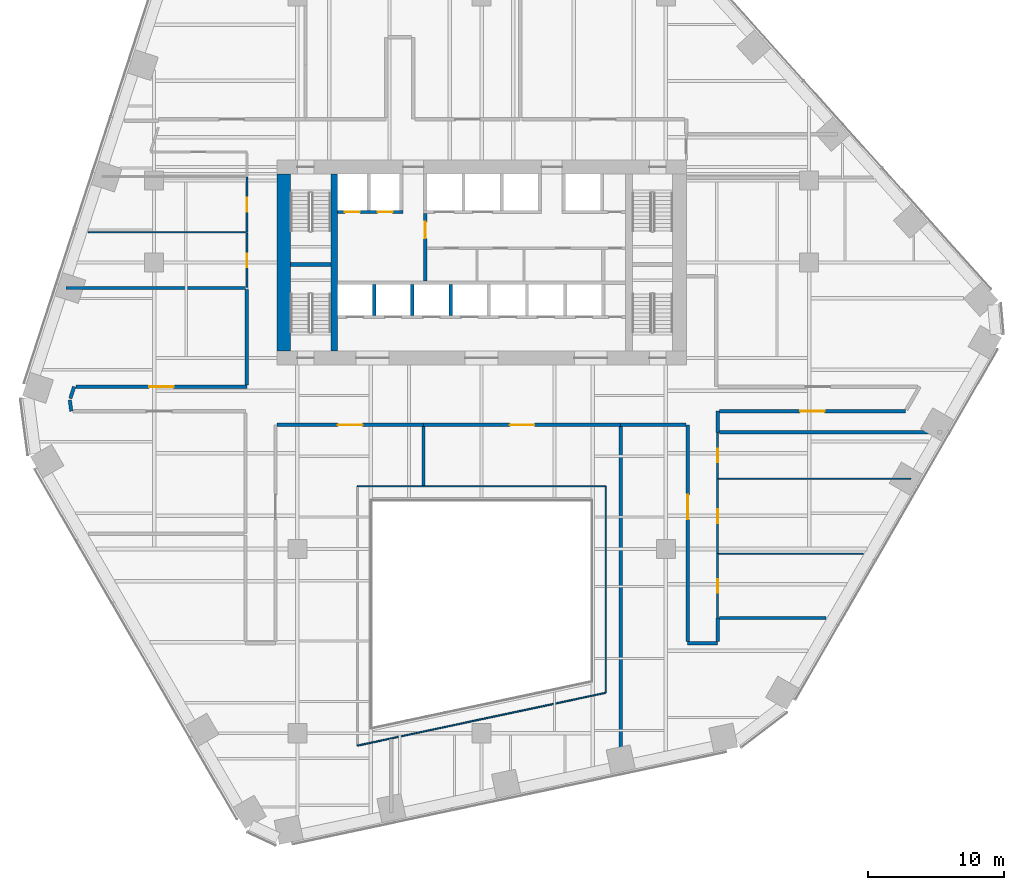
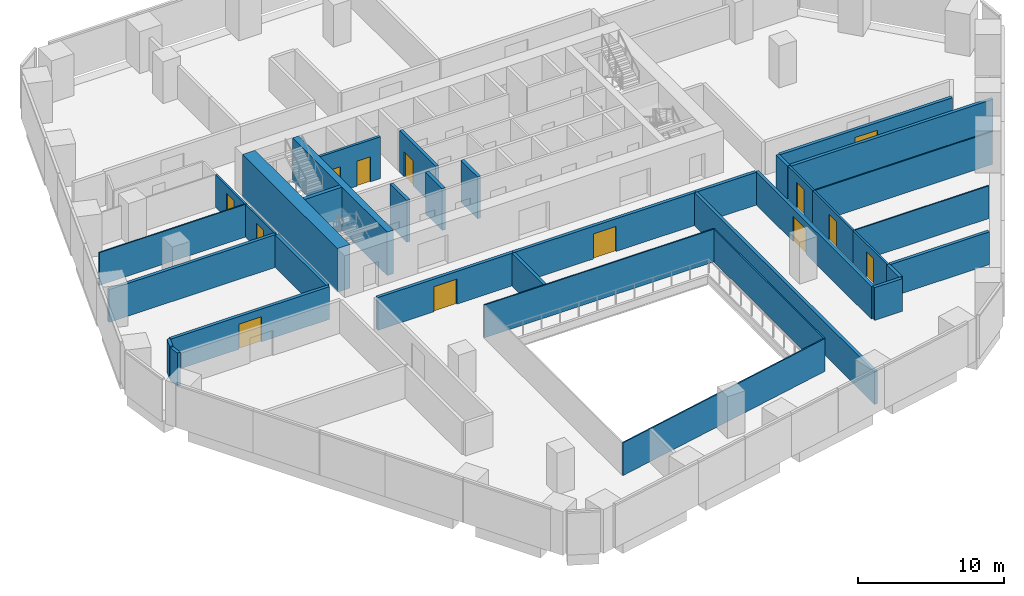
# One storey, part 14 of 20: 36 walls, 13 doors, 13 openings.
"""IFC4 building model written with IfcOpenShell, lengths in metres."""

from ifc_helpers import new_model, si_unit, direction, frame, frame_2d, origin, place, context, subcontext, project, spatial, rectangle, extrude, material, layer, layer_set, type_object, element, fill, save


model = new_model("IFC4")

# Units and contexts
model_context = context("Model", 3, precision=1e-05, world=origin(), true_north=direction((0.0, 1.0)))
body_context = subcontext(model_context, "Body", "Model", "MODEL_VIEW")
ifc_project = project(units=[si_unit("LENGTHUNIT", "METRE"), si_unit("AREAUNIT", "SQUARE_METRE"), si_unit("VOLUMEUNIT", "CUBIC_METRE"), si_unit("PLANEANGLEUNIT", "RADIAN"), si_unit("MASSUNIT", "GRAM", prefix="KILO")], contexts=[model_context])

# Site, building, storey
site_placement = place(None, origin())
site = spatial("IfcSite", under=ifc_project, at=site_placement, CompositionType="ELEMENT")
building_placement = place(site_placement, origin())
building = spatial("IfcBuilding", under=site, at=building_placement, Name="Isthmus Gate Tower", CompositionType="ELEMENT")
storey_placement = place(building_placement, frame((0.0, 0.0, 65.199951171875)))
storey = spatial("IfcBuildingStorey", under=building, at=storey_placement, Name="L14", CompositionType="ELEMENT", Elevation=65.199951171875)

# Wall, opening, door
ifc_material_1 = material(Name="Double-leaf acoustic stud wall, fire-rated", Category="gypsum")
ifc_layer_1 = layer(ifc_material_1, 0.25)
ifc_layer_set_1 = layer_set([ifc_layer_1], Name="ACOUSTIC WALL 250 60 MIN")
wall_type_1 = type_object("IfcWallType", Name="ACOUSTIC WALL 250 60 MIN", PredefinedType="PARTITIONING", material=ifc_layer_set_1)
wall_1_placement = place(storey_placement, frame((-4.2548828125, -4.39990234375, 0.0), z_axis=(0.0, 0.0, 1.0), x_axis=(-1.0, 0.0, 0.0)))
wall_1 = element("IfcWall", 1, at=wall_1_placement, inside=storey, type_object=wall_type_1, Name="L14 Acoustic Wall 250 60 Min", PredefinedType="PARTITIONING", context=body_context, shape_type="SweptSolid", body=[
    extrude(rectangle(XDim=10.72021484375, YDim=0.25, at=frame_2d((5.360107421875, 0.0))), origin(), (0.0, 0.0, 1.0), 2.7412109375),
])
opening_1_placement = place(wall_1_placement, frame((4.472412109375, 0.0, 0.0)))
opening_1 = element("IfcOpeningElement", 2, at=opening_1_placement, cuts=wall_1, Name="Opening DT-T1C-15", PredefinedType="OPENING", context=body_context, shape_type="SweptSolid", body=[
    extrude(rectangle(XDim=1.800048828125, YDim=2.10009765625, at=frame_2d((0.89990234375, 1.050048828125))), frame((0.0, 0.135009765625, 0.0), z_axis=(0.0, -1.0, 0.0), x_axis=(1.0, 0.0, 0.0)), (0.0, 0.0, 1.0), 0.27001953125),
])
ifc_material_2 = material(Name="Solid core timber door leaf, fire-rated", Category="wood")
door_type_1 = type_object("IfcDoorType", Name="FIRE DOOR ACOUSTIC ROOM 1800 X 2100 60 MIN", OperationType="DOUBLE_DOOR_DOUBLE_SWING", PredefinedType="DOOR", material=ifc_material_2)
door_1_placement = place(opening_1_placement, origin())
door_1 = element("IfcDoor", 3, at=door_1_placement, inside=storey, type_object=door_type_1, Name="L14 room door", OperationType="DOUBLE_DOOR_DOUBLE_SWING", OverallHeight=2.10009765625, OverallWidth=1.800048828125, PredefinedType="DOOR", context=body_context, shape_type="SweptSolid", body=[
    extrude(rectangle(XDim=1.800048828125, YDim=2.10009765625, at=frame_2d((0.89990234375, 1.050048828125))), frame((0.0, 0.02490234375, 0.0), z_axis=(0.0, -1.0, 0.0), x_axis=(1.0, 0.0, 0.0)), (0.0, 0.0, 1.0), 0.050048828125),
])
fill(opening_1, door_1)

wall_2_placement = place(storey_placement, frame((10.19189453125, -4.39990234375, 0.0), z_axis=(0.0, 0.0, 1.0), x_axis=(-1.0, 0.0, 0.0)))
wall_2 = element("IfcWall", 4, at=wall_2_placement, inside=storey, type_object=wall_type_1, Name="L14 Acoustic Wall 250 60 Min", PredefinedType="PARTITIONING", context=body_context, shape_type="SweptSolid", body=[
    extrude(rectangle(XDim=14.44677734375, YDim=0.25, at=frame_2d((7.223388671875, 0.0))), origin(), (0.0, 0.0, 1.0), 2.7412109375),
])
opening_2_placement = place(wall_2_placement, frame((6.323486328125, 0.0, 0.0)))
opening_2 = element("IfcOpeningElement", 5, at=opening_2_placement, cuts=wall_2, Name="Opening DT-T1C-16", PredefinedType="OPENING", context=body_context, shape_type="SweptSolid", body=[
    extrude(rectangle(XDim=1.800048828125, YDim=2.10009765625, at=frame_2d((0.89990234375, 1.050048828125))), frame((0.0, 0.135009765625, 0.0), z_axis=(0.0, -1.0, 0.0), x_axis=(1.0, 0.0, 0.0)), (0.0, 0.0, 1.0), 0.27001953125),
])
door_2_placement = place(opening_2_placement, origin())
door_2 = element("IfcDoor", 6, at=door_2_placement, inside=storey, type_object=door_type_1, Name="L14 room door", OperationType="DOUBLE_DOOR_DOUBLE_SWING", OverallHeight=2.10009765625, OverallWidth=1.800048828125, PredefinedType="DOOR", context=body_context, shape_type="SweptSolid", body=[
    extrude(rectangle(XDim=1.800048828125, YDim=2.10009765625, at=frame_2d((0.89990234375, 1.050048828125))), frame((0.0, 0.02490234375, 0.0), z_axis=(0.0, -1.0, 0.0), x_axis=(1.0, 0.0, 0.0)), (0.0, 0.0, 1.0), 0.050048828125),
])
fill(opening_2, door_2)

# Walls
wall_3_placement = place(storey_placement, frame((14.97509765625, -4.39990234375, 0.0), z_axis=(0.0, 0.0, 1.0), x_axis=(-1.0, 0.0, 0.0)))
element("IfcWall", 7, at=wall_3_placement, inside=storey, type_object=wall_type_1, Name="L14 Acoustic Wall 250 60 Min", PredefinedType="PARTITIONING", context=body_context, shape_type="SweptSolid", body=[
    extrude(rectangle(XDim=4.783203125, YDim=0.25, at=frame_2d((2.3916015625, 0.0))), origin(), (0.0, 0.0, 1.0), 2.7412109375),
])
wall_4_placement = place(storey_placement, frame((-30.069091796875, -3.39990234375, 0.0), z_axis=(0.0, 0.0, 1.0), x_axis=(-0.129642868584, 0.991560752867, 0.0)))
element("IfcWall", 8, at=wall_4_placement, inside=storey, type_object=wall_type_1, Name="L14 Acoustic Wall 250 60 Min", PredefinedType="PARTITIONING", context=body_context, shape_type="SweptSolid", body=[
    extrude(rectangle(XDim=0.824951171875, YDim=0.25, at=frame_2d((0.41259765625, 0.0))), origin(), (0.0, 0.0, 1.0), 2.7412109375),
])
wall_5_placement = place(storey_placement, frame((17.302001953125, -3.39990234375, 0.0), z_axis=(0.0, 0.0, 1.0), x_axis=(-0.00125845425, -0.999999208146, 0.0)))
element("IfcWall", 9, at=wall_5_placement, inside=storey, type_object=wall_type_1, Name="L14 Acoustic Wall 250 60 Min", PredefinedType="PARTITIONING", context=body_context, shape_type="SweptSolid", body=[
    extrude(rectangle(XDim=1.552001953125, YDim=0.25, at=frame_2d((0.77587890625, 0.0))), origin(), (0.0, 0.0, 1.0), 2.7412109375),
])

# Wall, opening, door
wall_6_placement = place(storey_placement, frame((31.06103515625, -3.39990234375, 0.0), z_axis=(0.0, 0.0, 1.0), x_axis=(-1.0, 0.0, 0.0)))
wall_6 = element("IfcWall", 10, at=wall_6_placement, inside=storey, type_object=wall_type_1, Name="L14 Acoustic Wall 250 60 Min", PredefinedType="PARTITIONING", context=body_context, shape_type="SweptSolid", body=[
    extrude(rectangle(XDim=13.634033203125, YDim=0.25, at=frame_2d((6.81689453125, 0.0))), origin(), (0.0, 0.0, 1.0), 2.7412109375),
])
opening_3_placement = place(wall_6_placement, frame((5.9169921875, 0.0, 0.0)))
opening_3 = element("IfcOpeningElement", 11, at=opening_3_placement, cuts=wall_6, Name="Opening DT-T1C-09", PredefinedType="OPENING", context=body_context, shape_type="SweptSolid", body=[
    extrude(rectangle(XDim=1.800048828125, YDim=2.10009765625, at=frame_2d((0.89990234375, 1.050048828125))), frame((0.0, 0.135009765625, 0.0), z_axis=(0.0, -1.0, 0.0), x_axis=(1.0, 0.0, 0.0)), (0.0, 0.0, 1.0), 0.27001953125),
])
door_3_placement = place(opening_3_placement, origin())
door_3 = element("IfcDoor", 12, at=door_3_placement, inside=storey, type_object=door_type_1, Name="L14 room door", OperationType="DOUBLE_DOOR_DOUBLE_SWING", OverallHeight=2.10009765625, OverallWidth=1.800048828125, PredefinedType="DOOR", context=body_context, shape_type="SweptSolid", body=[
    extrude(rectangle(XDim=1.800048828125, YDim=2.10009765625, at=frame_2d((0.89990234375, 1.050048828125))), frame((0.0, 0.02490234375, 0.0), z_axis=(0.0, -1.0, 0.0), x_axis=(1.0, 0.0, 0.0)), (0.0, 0.0, 1.0), 0.050048828125),
])
fill(opening_3, door_3)

# Walls
wall_7_placement = place(storey_placement, frame((17.300048828125, -20.39990234375, 0.0), z_axis=(0.0, 0.0, 1.0), x_axis=(-1.0, 0.0, 0.0)))
element("IfcWall", 13, at=wall_7_placement, inside=storey, type_object=wall_type_1, Name="L14 Acoustic Wall 250 60 Min", PredefinedType="PARTITIONING", context=body_context, shape_type="SweptSolid", body=[
    extrude(rectangle(XDim=2.199951171875, YDim=0.25, at=frame_2d((1.10009765625, 0.0))), origin(), (0.0, 0.0, 1.0), 2.7412109375),
])
wall_8_placement = place(storey_placement, frame((17.300048828125, -18.549072265625, 0.0), z_axis=(0.0, 0.0, 1.0), x_axis=(0.0, -1.0, 0.0)))
element("IfcWall", 14, at=wall_8_placement, inside=storey, type_object=wall_type_1, Name="L14 Acoustic Wall 250 60 Min", PredefinedType="PARTITIONING", context=body_context, shape_type="SweptSolid", body=[
    extrude(rectangle(XDim=1.725830078125, YDim=0.25, at=frame_2d((0.86279296875, 0.0))), origin(), (0.0, 0.0, 1.0), 2.7412109375),
])
wall_9_placement = place(storey_placement, frame((-30.450927734375, 5.6298828125, 0.0), z_axis=(0.0, 0.0, 1.0), x_axis=(1.0, 0.0, 0.0)))
element("IfcWall", 15, at=wall_9_placement, inside=storey, type_object=wall_type_1, Name="L14 Acoustic Wall 250 60 Min", PredefinedType="PARTITIONING", context=body_context, shape_type="SweptSolid", body=[
    extrude(rectangle(XDim=13.176025390625, YDim=0.25, at=frame_2d((6.587890625, 0.0))), origin(), (0.0, 0.0, 1.0), 2.7412109375),
])
wall_10_placement = place(storey_placement, frame((33.39794921875, -4.951904296875, 0.0), z_axis=(0.0, 0.0, 1.0), x_axis=(-1.0, 0.0, 0.0)))
element("IfcWall", 16, at=wall_10_placement, inside=storey, type_object=wall_type_1, Name="L14 Acoustic Wall 250 60 Min", PredefinedType="PARTITIONING", context=body_context, shape_type="SweptSolid", body=[
    extrude(rectangle(XDim=15.972900390625, YDim=0.25, at=frame_2d((7.986328125, 0.0))), origin(), (0.0, 0.0, 1.0), 2.7412109375),
])
wall_11_placement = place(storey_placement, frame((-30.13720703125, -2.463134765625, 0.0), z_axis=(0.0, 0.0, 1.0), x_axis=(0.309846187565, 0.950786695348, 0.0)))
element("IfcWall", 17, at=wall_11_placement, inside=storey, type_object=wall_type_1, Name="L14 Acoustic Wall 250 60 Min", PredefinedType="PARTITIONING", context=body_context, shape_type="SweptSolid", body=[
    extrude(rectangle(XDim=0.90771484375, YDim=0.25, at=frame_2d((0.453857421875, 0.0))), origin(), (0.0, 0.0, 1.0), 2.7412109375),
])

# Wall, opening, door
wall_12_placement = place(storey_placement, frame((-29.73095703125, -1.60009765625, 0.0), z_axis=(0.0, 0.0, 1.0), x_axis=(1.0, 0.0, 0.0)))
wall_12 = element("IfcWall", 18, at=wall_12_placement, inside=storey, type_object=wall_type_1, Name="L14 Acoustic Wall 250 60 Min", PredefinedType="PARTITIONING", context=body_context, shape_type="SweptSolid", body=[
    extrude(rectangle(XDim=12.531005859375, YDim=0.25, at=frame_2d((6.265625, 0.0))), origin(), (0.0, 0.0, 1.0), 2.7412109375),
])
opening_4_placement = place(wall_12_placement, frame((5.365478515625, 0.0, 0.0)))
opening_4 = element("IfcOpeningElement", 19, at=opening_4_placement, cuts=wall_12, Name="Opening DT-T1C-11", PredefinedType="OPENING", context=body_context, shape_type="SweptSolid", body=[
    extrude(rectangle(XDim=1.800048828125, YDim=2.10009765625, at=frame_2d((0.89990234375, 1.050048828125))), frame((0.0, 0.135009765625, 0.0), z_axis=(0.0, -1.0, 0.0), x_axis=(1.0, 0.0, 0.0)), (0.0, 0.0, 1.0), 0.27001953125),
])
door_4_placement = place(opening_4_placement, origin())
door_4 = element("IfcDoor", 20, at=door_4_placement, inside=storey, type_object=door_type_1, Name="L14 room door", OperationType="DOUBLE_DOOR_DOUBLE_SWING", OverallHeight=2.10009765625, OverallWidth=1.800048828125, PredefinedType="DOOR", context=body_context, shape_type="SweptSolid", body=[
    extrude(rectangle(XDim=1.800048828125, YDim=2.10009765625, at=frame_2d((0.89990234375, 1.050048828125))), frame((0.0, 0.02490234375, 0.0), z_axis=(0.0, -1.0, 0.0), x_axis=(1.0, 0.0, 0.0)), (0.0, 0.0, 1.0), 0.050048828125),
])
fill(opening_4, door_4)

# Walls
wall_13_placement = place(storey_placement, frame((-17.199951171875, -1.47509765625, 0.0), z_axis=(0.0, 0.0, 1.0), x_axis=(0.0, 1.0, 0.0)))
element("IfcWall", 21, at=wall_13_placement, inside=storey, type_object=wall_type_1, Name="L14 Acoustic Wall 250 60 Min", PredefinedType="PARTITIONING", context=body_context, shape_type="SweptSolid", body=[
    extrude(rectangle(XDim=6.97998046875, YDim=0.25, at=frame_2d((3.489990234375, 0.0))), origin(), (0.0, 0.0, 1.0), 2.7412109375),
])
wall_14_placement = place(storey_placement, frame((-4.2548828125, -8.85009765625, 0.0), z_axis=(0.0, 0.0, 1.0), x_axis=(0.0, 1.0, 0.0)))
element("IfcWall", 22, at=wall_14_placement, inside=storey, type_object=wall_type_1, Name="L14 Acoustic Wall 250 60 Min", PredefinedType="PARTITIONING", context=body_context, shape_type="SweptSolid", body=[
    extrude(rectangle(XDim=4.3251953125, YDim=0.25, at=frame_2d((2.16259765625, 0.0))), origin(), (0.0, 0.0, 1.0), 2.7412109375),
])
wall_15_placement = place(storey_placement, frame((10.19189453125, -29.219970703125, 0.0), z_axis=(0.0, 0.0, 1.0), x_axis=(0.0, 1.0, 0.0)))
element("IfcWall", 23, at=wall_15_placement, inside=storey, type_object=wall_type_1, Name="L14 Acoustic Wall 250 60 Min", PredefinedType="PARTITIONING", context=body_context, shape_type="SweptSolid", body=[
    extrude(rectangle(XDim=24.695068359375, YDim=0.25, at=frame_2d((12.34765625, 0.0))), origin(), (0.0, 0.0, 1.0), 2.7412109375),
])

# Wall, opening, door
wall_16_placement = place(storey_placement, frame((15.10009765625, -20.27490234375, 0.0), z_axis=(0.0, 0.0, 1.0), x_axis=(0.0, 1.0, 0.0)))
wall_16 = element("IfcWall", 24, at=wall_16_placement, inside=storey, type_object=wall_type_1, Name="L14 Acoustic Wall 250 60 Min", PredefinedType="PARTITIONING", context=body_context, shape_type="SweptSolid", body=[
    extrude(rectangle(XDim=15.875, YDim=0.25, at=frame_2d((7.9375, 0.0))), origin(), (0.0, 0.0, 1.0), 2.7412109375),
])
opening_5_placement = place(wall_16_placement, frame((8.9423828125, 0.0, 0.0)))
opening_5 = element("IfcOpeningElement", 25, at=opening_5_placement, cuts=wall_16, Name="Opening DT-T1C-17", PredefinedType="OPENING", context=body_context, shape_type="SweptSolid", body=[
    extrude(rectangle(XDim=1.800048828125, YDim=2.10009765625, at=frame_2d((0.89990234375, 1.050048828125))), frame((0.0, 0.135009765625, 0.0), z_axis=(0.0, -1.0, 0.0), x_axis=(1.0, 0.0, 0.0)), (0.0, 0.0, 1.0), 0.27001953125),
])
door_5_placement = place(opening_5_placement, origin())
door_5 = element("IfcDoor", 26, at=door_5_placement, inside=storey, type_object=door_type_1, Name="L14 room door", OperationType="DOUBLE_DOOR_DOUBLE_SWING", OverallHeight=2.10009765625, OverallWidth=1.800048828125, PredefinedType="DOOR", context=body_context, shape_type="SweptSolid", body=[
    extrude(rectangle(XDim=1.800048828125, YDim=2.10009765625, at=frame_2d((0.89990234375, 1.050048828125))), frame((0.0, 0.02490234375, 0.0), z_axis=(0.0, -1.0, 0.0), x_axis=(1.0, 0.0, 0.0)), (0.0, 0.0, 1.0), 0.050048828125),
])
fill(opening_5, door_5)

# Walls
wall_17_placement = place(storey_placement, frame((17.425048828125, -18.549072265625, 0.0), z_axis=(0.0, 0.0, 1.0), x_axis=(1.0, 0.0, 0.0)))
element("IfcWall", 27, at=wall_17_placement, inside=storey, type_object=wall_type_1, Name="L14 Acoustic Wall 250 60 Min", PredefinedType="PARTITIONING", context=body_context, shape_type="SweptSolid", body=[
    extrude(rectangle(XDim=7.822998046875, YDim=0.25, at=frame_2d((3.91162109375, 0.0))), origin(), (0.0, 0.0, 1.0), 2.7412109375),
])
ifc_material_3 = material(Name="Fire-rated laminated glass in steel frame", Category="steel")
ifc_layer_2 = layer(ifc_material_3, 0.10009765625)
ifc_layer_set_2 = layer_set([ifc_layer_2], Name="ATRIUM SCREEN GLAZED WALL 100 120 MIN")
wall_type_2 = type_object("IfcWallType", Name="ATRIUM SCREEN GLAZED WALL 100 120 MIN", PredefinedType="PARTITIONING", material=ifc_layer_set_2)
wall_18_placement = place(storey_placement, frame((-9.10009765625, -8.89990234375, 0.0), z_axis=(0.0, 0.0, 1.0), x_axis=(1.0, 0.0, 0.0)))
element("IfcWall", 28, at=wall_18_placement, inside=storey, type_object=wall_type_2, Name="L14 atrium screen", PredefinedType="PARTITIONING", context=body_context, shape_type="SweptSolid", body=[
    extrude(rectangle(XDim=18.2001953125, YDim=0.10009765625, at=frame_2d((9.10009765625, 0.0))), origin(), (0.0, 0.0, 1.0), 2.7412109375),
])
wall_19_placement = place(storey_placement, frame((9.10009765625, -8.89990234375, 0.0), z_axis=(0.0, 0.0, 1.0), x_axis=(0.0, -1.0, 0.0)))
element("IfcWall", 29, at=wall_19_placement, inside=storey, type_object=wall_type_2, Name="L14 atrium screen", PredefinedType="PARTITIONING", context=body_context, shape_type="SweptSolid", body=[
    extrude(rectangle(XDim=15.134033203125, YDim=0.10009765625, at=frame_2d((7.56689453125, 0.0))), origin(), (0.0, 0.0, 1.0), 2.7412109375),
])
wall_20_placement = place(storey_placement, frame((9.10009765625, -24.033935546875, 0.0), z_axis=(0.0, 0.0, 1.0), x_axis=(-0.978146710971, -0.207915876778, 0.0)))
element("IfcWall", 30, at=wall_20_placement, inside=storey, type_object=wall_type_2, Name="L14 atrium screen", PredefinedType="PARTITIONING", context=body_context, shape_type="SweptSolid", body=[
    extrude(rectangle(XDim=18.60693359375, YDim=0.10009765625, at=frame_2d((9.303466796875, 0.0))), origin(), (0.0, 0.0, 1.0), 2.7412109375),
])

# Wall, opening, door
ifc_material_4 = material(Name="Gypsum board on steel studs, fire-rated", Category="steel")
ifc_layer_3 = layer(ifc_material_4, 0.14990234375)
ifc_layer_set_3 = layer_set([ifc_layer_3], Name="CORRIDOR WALL 150 60 MIN")
wall_type_3 = type_object("IfcWallType", Name="CORRIDOR WALL 150 60 MIN", PredefinedType="PARTITIONING", material=ifc_layer_set_3)
wall_21_placement = place(storey_placement, frame((17.300048828125, -4.951904296875, 0.0), z_axis=(0.0, 0.0, 1.0), x_axis=(0.0, -1.0, 0.0)))
wall_21 = element("IfcWall", 31, at=wall_21_placement, inside=storey, type_object=wall_type_3, Name="L14 Corridor Wall 150 60 Min", PredefinedType="PARTITIONING", context=body_context, shape_type="SweptSolid", body=[
    extrude(rectangle(XDim=3.398193359375, YDim=0.14990234375, at=frame_2d((1.69921875, 0.0))), origin(), (0.0, 0.0, 1.0), 2.7412109375),
])
opening_6_placement = place(wall_21_placement, frame((1.198974609375, 0.0, 0.0)))
opening_6 = element("IfcOpeningElement", 32, at=opening_6_placement, cuts=wall_21, Name="Opening DT-T1C-12", PredefinedType="OPENING", context=body_context, shape_type="SweptSolid", body=[
    extrude(rectangle(XDim=1.0, YDim=2.10009765625, at=frame_2d((0.5, 1.050048828125))), frame((0.0, 0.0849609375, 0.0), z_axis=(0.0, -1.0, 0.0), x_axis=(1.0, 0.0, 0.0)), (0.0, 0.0, 1.0), 0.169921875),
])
ifc_material_5 = material(Name="Solid core timber door leaf, fire-rated", Category="wood")
door_type_2 = type_object("IfcDoorType", Name="FIRE DOOR ROOM 1000 X 2100 60 MIN", OperationType="SINGLE_SWING_LEFT", PredefinedType="DOOR", material=ifc_material_5)
door_6_placement = place(opening_6_placement, origin())
door_6 = element("IfcDoor", 33, at=door_6_placement, inside=storey, type_object=door_type_2, Name="L14 room door", OperationType="SINGLE_SWING_RIGHT", OverallHeight=2.10009765625, OverallWidth=1.0, PredefinedType="DOOR", context=body_context, shape_type="SweptSolid", body=[
    extrude(rectangle(XDim=1.0, YDim=2.10009765625, at=frame_2d((0.5, 1.050048828125))), frame((0.0, 0.02490234375, 0.0), z_axis=(0.0, -1.0, 0.0), x_axis=(1.0, 0.0, 0.0)), (0.0, 0.0, 1.0), 0.050048828125),
])
fill(opening_6, door_6)

wall_22_placement = place(storey_placement, frame((17.300048828125, -8.35009765625, 0.0), z_axis=(0.0, 0.0, 1.0), x_axis=(0.0, -1.0, 0.0)))
wall_22 = element("IfcWall", 34, at=wall_22_placement, inside=storey, type_object=wall_type_3, Name="L14 Corridor Wall 150 60 Min", PredefinedType="PARTITIONING", context=body_context, shape_type="SweptSolid", body=[
    extrude(rectangle(XDim=5.489013671875, YDim=0.14990234375, at=frame_2d((2.74462890625, 0.0))), origin(), (0.0, 0.0, 1.0), 2.7412109375),
])
opening_7_placement = place(wall_22_placement, frame((2.244384765625, 0.0, 0.0)))
opening_7 = element("IfcOpeningElement", 35, at=opening_7_placement, cuts=wall_22, Name="Opening DT-T1C-13", PredefinedType="OPENING", context=body_context, shape_type="SweptSolid", body=[
    extrude(rectangle(XDim=1.0, YDim=2.10009765625, at=frame_2d((0.5, 1.050048828125))), frame((0.0, 0.0849609375, 0.0), z_axis=(0.0, -1.0, 0.0), x_axis=(1.0, 0.0, 0.0)), (0.0, 0.0, 1.0), 0.169921875),
])
door_7_placement = place(opening_7_placement, origin())
door_7 = element("IfcDoor", 36, at=door_7_placement, inside=storey, type_object=door_type_2, Name="L14 room door", OperationType="SINGLE_SWING_RIGHT", OverallHeight=2.10009765625, OverallWidth=1.0, PredefinedType="DOOR", context=body_context, shape_type="SweptSolid", body=[
    extrude(rectangle(XDim=1.0, YDim=2.10009765625, at=frame_2d((0.5, 1.050048828125))), frame((0.0, 0.02490234375, 0.0), z_axis=(0.0, -1.0, 0.0), x_axis=(1.0, 0.0, 0.0)), (0.0, 0.0, 1.0), 0.050048828125),
])
fill(opening_7, door_7)

wall_23_placement = place(storey_placement, frame((17.300048828125, -13.839111328125, 0.0), z_axis=(0.0, 0.0, 1.0), x_axis=(0.0, -1.0, 0.0)))
wall_23 = element("IfcWall", 37, at=wall_23_placement, inside=storey, type_object=wall_type_3, Name="L14 Corridor Wall 150 60 Min", PredefinedType="PARTITIONING", context=body_context, shape_type="SweptSolid", body=[
    extrude(rectangle(XDim=4.7099609375, YDim=0.14990234375, at=frame_2d((2.35498046875, 0.0))), origin(), (0.0, 0.0, 1.0), 2.7412109375),
])
opening_8_placement = place(wall_23_placement, frame((1.85498046875, 0.0, 0.0)))
opening_8 = element("IfcOpeningElement", 38, at=opening_8_placement, cuts=wall_23, Name="Opening DT-T1C-18", PredefinedType="OPENING", context=body_context, shape_type="SweptSolid", body=[
    extrude(rectangle(XDim=1.0, YDim=2.10009765625, at=frame_2d((0.5, 1.050048828125))), frame((0.0, 0.0849609375, 0.0), z_axis=(0.0, -1.0, 0.0), x_axis=(1.0, 0.0, 0.0)), (0.0, 0.0, 1.0), 0.169921875),
])
door_8_placement = place(opening_8_placement, origin())
door_8 = element("IfcDoor", 39, at=door_8_placement, inside=storey, type_object=door_type_2, Name="L14 room door", OperationType="SINGLE_SWING_RIGHT", OverallHeight=2.10009765625, OverallWidth=1.0, PredefinedType="DOOR", context=body_context, shape_type="SweptSolid", body=[
    extrude(rectangle(XDim=1.0, YDim=2.10009765625, at=frame_2d((0.5, 1.050048828125))), frame((0.0, 0.02490234375, 0.0), z_axis=(0.0, -1.0, 0.0), x_axis=(1.0, 0.0, 0.0)), (0.0, 0.0, 1.0), 0.050048828125),
])
fill(opening_8, door_8)

wall_24_placement = place(storey_placement, frame((-17.199951171875, 9.714111328125, 0.0), z_axis=(0.0, 0.0, 1.0), x_axis=(0.0, 1.0, 0.0)))
wall_24 = element("IfcWall", 40, at=wall_24_placement, inside=storey, type_object=wall_type_3, Name="L14 Corridor Wall 150 60 Min", PredefinedType="PARTITIONING", context=body_context, shape_type="SweptSolid", body=[
    extrude(rectangle(XDim=4.034912109375, YDim=0.14990234375, at=frame_2d((2.017578125, 0.0))), origin(), (0.0, 0.0, 1.0), 2.7412109375),
])
opening_9_placement = place(wall_24_placement, frame((1.517578125, 0.0, 0.0)))
opening_9 = element("IfcOpeningElement", 41, at=opening_9_placement, cuts=wall_24, Name="Opening DT-T1C-06", PredefinedType="OPENING", context=body_context, shape_type="SweptSolid", body=[
    extrude(rectangle(XDim=1.0, YDim=2.10009765625, at=frame_2d((0.5, 1.050048828125))), frame((0.0, 0.0849609375, 0.0), z_axis=(0.0, -1.0, 0.0), x_axis=(1.0, 0.0, 0.0)), (0.0, 0.0, 1.0), 0.169921875),
])
door_9_placement = place(opening_9_placement, origin())
door_9 = element("IfcDoor", 42, at=door_9_placement, inside=storey, type_object=door_type_2, Name="L14 room door", OperationType="SINGLE_SWING_RIGHT", OverallHeight=2.10009765625, OverallWidth=1.0, PredefinedType="DOOR", context=body_context, shape_type="SweptSolid", body=[
    extrude(rectangle(XDim=1.0, YDim=2.10009765625, at=frame_2d((0.5, 1.050048828125))), frame((0.0, 0.02490234375, 0.0), z_axis=(0.0, -1.0, 0.0), x_axis=(1.0, 0.0, 0.0)), (0.0, 0.0, 1.0), 0.050048828125),
])
fill(opening_9, door_9)

wall_25_placement = place(storey_placement, frame((-17.199951171875, 5.679931640625, 0.0), z_axis=(0.0, 0.0, 1.0), x_axis=(0.0, 1.0, 0.0)))
wall_25 = element("IfcWall", 43, at=wall_25_placement, inside=storey, type_object=wall_type_3, Name="L14 Corridor Wall 150 60 Min", PredefinedType="PARTITIONING", context=body_context, shape_type="SweptSolid", body=[
    extrude(rectangle(XDim=3.984130859375, YDim=0.14990234375, at=frame_2d((1.9921875, 0.0))), origin(), (0.0, 0.0, 1.0), 2.7412109375),
])
opening_10_placement = place(wall_25_placement, frame((1.467041015625, 0.0, 0.0)))
opening_10 = element("IfcOpeningElement", 44, at=opening_10_placement, cuts=wall_25, Name="Opening DT-T1C-07", PredefinedType="OPENING", context=body_context, shape_type="SweptSolid", body=[
    extrude(rectangle(XDim=1.0, YDim=2.10009765625, at=frame_2d((0.5, 1.050048828125))), frame((0.0, 0.0849609375, 0.0), z_axis=(0.0, -1.0, 0.0), x_axis=(1.0, 0.0, 0.0)), (0.0, 0.0, 1.0), 0.169921875),
])
door_10_placement = place(opening_10_placement, origin())
door_10 = element("IfcDoor", 45, at=door_10_placement, inside=storey, type_object=door_type_2, Name="L14 room door", OperationType="SINGLE_SWING_RIGHT", OverallHeight=2.10009765625, OverallWidth=1.0, PredefinedType="DOOR", context=body_context, shape_type="SweptSolid", body=[
    extrude(rectangle(XDim=1.0, YDim=2.10009765625, at=frame_2d((0.5, 1.050048828125))), frame((0.0, 0.02490234375, 0.0), z_axis=(0.0, -1.0, 0.0), x_axis=(1.0, 0.0, 0.0)), (0.0, 0.0, 1.0), 0.050048828125),
])
fill(opening_10, door_10)

ifc_material_6 = material(Name="Fire-rated blockwork masonry, 15 MPa", Category="masonry")
ifc_layer_4 = layer(ifc_material_6, 0.25)
ifc_layer_set_4 = layer_set([ifc_layer_4], Name="FIRE-FIGHTING LOBBY WALL 250 90 MIN")
wall_type_4 = type_object("IfcWallType", Name="FIRE-FIGHTING LOBBY WALL 250 90 MIN", PredefinedType="PARTITIONING", material=ifc_layer_set_4)
wall_26_placement = place(storey_placement, frame((-4.125, 6.14990234375, 0.0), z_axis=(0.0, 0.0, 1.0), x_axis=(0.0, 1.0, 0.0)))
wall_26 = element("IfcWall", 46, at=wall_26_placement, inside=storey, type_object=wall_type_4, Name="L14 FIRE-FIGHTING LOBBY WALL 250 90 MIN", PredefinedType="PARTITIONING", context=body_context, shape_type="SweptSolid", body=[
    extrude(rectangle(XDim=4.9501953125, YDim=0.25, at=frame_2d((2.47509765625, 0.0))), origin(), (0.0, 0.0, 1.0), 3.5),
])
opening_11_placement = place(wall_26_placement, frame((3.125, 0.0, 0.0)))
opening_11 = element("IfcOpeningElement", 47, at=opening_11_placement, cuts=wall_26, Name="Opening DC-A03-01", PredefinedType="OPENING", context=body_context, shape_type="SweptSolid", body=[
    extrude(rectangle(XDim=1.199951171875, YDim=2.10009765625, at=frame_2d((0.60009765625, 1.050048828125))), frame((0.0, 0.135009765625, 0.0), z_axis=(0.0, -1.0, 0.0), x_axis=(1.0, 0.0, 0.0)), (0.0, 0.0, 1.0), 0.27001953125),
])
ifc_material_7 = material(Name="Steel door leaf, fire-rated", Category="steel")
door_type_3 = type_object("IfcDoorType", Name="LOBBY FIRE DOOR 1200 X 2100 90 MIN", OperationType="DOUBLE_DOOR_SINGLE_SWING", PredefinedType="DOOR", material=ifc_material_7)
door_11_placement = place(opening_11_placement, origin())
door_11 = element("IfcDoor", 48, at=door_11_placement, inside=storey, type_object=door_type_3, Name="Fire-fighting Lobby Door", OperationType="SINGLE_SWING_LEFT", OverallHeight=2.10009765625, OverallWidth=1.199951171875, PredefinedType="DOOR", context=body_context, shape_type="SweptSolid", body=[
    extrude(rectangle(XDim=1.199951171875, YDim=2.10009765625, at=frame_2d((0.60009765625, 1.050048828125))), frame((0.0, 0.02490234375, 0.0), z_axis=(0.0, -1.0, 0.0), x_axis=(1.0, 0.0, 0.0)), (0.0, 0.0, 1.0), 0.050048828125),
])
fill(opening_11, door_11)

# Walls
ifc_material_8 = material(Name="Concrete f'c 70 MPa", Category="concrete")
ifc_layer_5 = layer(ifc_material_8, 0.5)
ifc_layer_set_5 = layer_set([ifc_layer_5], Name="RC CORE SPINE WALL 500 F'C 70")
wall_type_5 = type_object("IfcWallType", Name="RC CORE SPINE WALL 500 F'C 70", PredefinedType="SOLIDWALL", material=ifc_layer_set_5)
wall_27_placement = place(storey_placement, frame((-10.800048828125, 1.0, -0.14990234375), z_axis=(0.0, 0.0, 1.0), x_axis=(0.0, 1.0, 0.0)))
element("IfcWall", 49, at=wall_27_placement, inside=storey, type_object=wall_type_5, Name="str-corewall-L14-SPW", PredefinedType="SOLIDWALL", context=body_context, shape_type="SweptSolid", body=[
    extrude(rectangle(XDim=13.0, YDim=0.5, at=frame_2d((6.5, 0.0))), origin(), (0.0, 0.0, 1.0), 3.64990234375),
])
ifc_material_9 = material(Name="Concrete f'c 70 MPa", Category="concrete")
ifc_layer_6 = layer(ifc_material_9, 1.0)
ifc_layer_set_6 = layer_set([ifc_layer_6], Name="RC CORE WALL 1000 F'C 70")
wall_type_6 = type_object("IfcWallType", Name="RC CORE WALL 1000 F'C 70", PredefinedType="SOLIDWALL", material=ifc_layer_set_6)
wall_28_placement = place(storey_placement, frame((-14.5, 1.0, -0.14990234375), z_axis=(0.0, 0.0, 1.0), x_axis=(0.0, 1.0, 0.0)))
element("IfcWall", 50, at=wall_28_placement, inside=storey, type_object=wall_type_6, Name="str-corewall-L14-W", PredefinedType="SOLIDWALL", context=body_context, shape_type="SweptSolid", body=[
    extrude(rectangle(XDim=13.0, YDim=1.0, at=frame_2d((6.5, 0.0))), origin(), (0.0, 0.0, 1.0), 3.64990234375),
])
ifc_material_10 = material(Name="Gypsum board on steel studs, fire-rated", Category="steel")
ifc_layer_7 = layer(ifc_material_10, 0.10009765625)
ifc_layer_set_7 = layer_set([ifc_layer_7], Name="ROOM PARTITION 100 30 MIN")
wall_type_7 = type_object("IfcWallType", Name="ROOM PARTITION 100 30 MIN", PredefinedType="PARTITIONING", material=ifc_layer_set_7)
wall_29_placement = place(storey_placement, frame((-28.823974609375, 9.714111328125, 0.0), z_axis=(0.0, 0.0, 1.0), x_axis=(1.0, 0.0, 0.0)))
element("IfcWall", 51, at=wall_29_placement, inside=storey, type_object=wall_type_7, Name="L14 Room Partition 100 30 Min", PredefinedType="PARTITIONING", context=body_context, shape_type="SweptSolid", body=[
    extrude(rectangle(XDim=11.549072265625, YDim=0.10009765625, at=frame_2d((5.7744140625, 0.0))), origin(), (0.0, 0.0, 1.0), 2.7412109375),
])
wall_30_placement = place(storey_placement, frame((17.375, -8.35009765625, 0.0), z_axis=(0.0, 0.0, 1.0), x_axis=(1.0, 0.0, 0.0)))
element("IfcWall", 52, at=wall_30_placement, inside=storey, type_object=wall_type_7, Name="L14 Room Partition 100 30 Min", PredefinedType="PARTITIONING", context=body_context, shape_type="SweptSolid", body=[
    extrude(rectangle(XDim=14.06201171875, YDim=0.10009765625, at=frame_2d((7.031005859375, 0.0))), origin(), (0.0, 0.0, 1.0), 2.7412109375),
])
wall_31_placement = place(storey_placement, frame((17.375, -13.839111328125, 0.0), z_axis=(0.0, 0.0, 1.0), x_axis=(1.0, 0.0, 0.0)))
element("IfcWall", 53, at=wall_31_placement, inside=storey, type_object=wall_type_7, Name="L14 Room Partition 100 30 Min", PredefinedType="PARTITIONING", context=body_context, shape_type="SweptSolid", body=[
    extrude(rectangle(XDim=10.592041015625, YDim=0.10009765625, at=frame_2d((5.2958984375, 0.0))), origin(), (0.0, 0.0, 1.0), 2.7412109375),
])

# Wall, openings, doors
ifc_material_11 = material(Name="Fire-rated blockwork masonry, 15 MPa", Category="masonry")
ifc_layer_8 = layer(ifc_material_11, 0.199951171875)
ifc_layer_set_8 = layer_set([ifc_layer_8], Name="SHAFT FRONT WALL 200 120 MIN")
wall_type_8 = type_object("IfcWallType", Name="SHAFT FRONT WALL 200 120 MIN", PredefinedType="PARTITIONING", material=ifc_layer_set_8)
wall_32_placement = place(storey_placement, frame((-10.550048828125, 11.199951171875, 0.0), z_axis=(0.0, 0.0, 1.0), x_axis=(1.0, 0.0, 0.0)))
wall_32 = element("IfcWall", 54, at=wall_32_placement, inside=storey, type_object=wall_type_8, Name="L14 SHAFT FRONT WALL 200 120 MIN", PredefinedType="PARTITIONING", context=body_context, shape_type="SweptSolid", body=[
    extrude(rectangle(XDim=4.800048828125, YDim=0.199951171875, at=frame_2d((2.39990234375, 0.0))), origin(), (0.0, 0.0, 1.0), 3.5),
])
opening_12_placement = place(wall_32_placement, frame((0.52490234375, 0.0, 0.0)))
opening_12 = element("IfcOpeningElement", 55, at=opening_12_placement, cuts=wall_32, Name="Opening LD-LF1", PredefinedType="OPENING", context=body_context, shape_type="SweptSolid", body=[
    extrude(rectangle(XDim=1.10009765625, YDim=2.10009765625, at=frame_2d((0.550048828125, 1.050048828125))), frame((0.0, 0.10986328125, 0.0), z_axis=(0.0, -1.0, 0.0), x_axis=(1.0, 0.0, 0.0)), (0.0, 0.0, 1.0), 0.219970703125),
])
opening_13_placement = place(wall_32_placement, frame((2.925048828125, 0.0, 0.0)))
opening_13 = element("IfcOpeningElement", 56, at=opening_13_placement, cuts=wall_32, Name="Opening LD-LF2", PredefinedType="OPENING", context=body_context, shape_type="SweptSolid", body=[
    extrude(rectangle(XDim=1.10009765625, YDim=2.10009765625, at=frame_2d((0.550048828125, 1.050048828125))), frame((0.0, 0.10986328125, 0.0), z_axis=(0.0, -1.0, 0.0), x_axis=(1.0, 0.0, 0.0)), (0.0, 0.0, 1.0), 0.219970703125),
])
ifc_material_12 = material(Name="Stainless steel sliding leaf", Category="steel")
door_type_4 = type_object("IfcDoorType", Name="LIFT LANDING FIRE DOOR 1100 X 2100 90 MIN", OperationType="DOUBLE_DOOR_SLIDING", PredefinedType="DOOR", material=ifc_material_12)
door_12_placement = place(opening_12_placement, origin())
door_12 = element("IfcDoor", 57, at=door_12_placement, inside=storey, type_object=door_type_4, Name="Lift Landing Door LF1", OperationType="DOUBLE_DOOR_SLIDING", OverallHeight=2.10009765625, OverallWidth=1.10009765625, PredefinedType="DOOR", context=body_context, shape_type="SweptSolid", body=[
    extrude(rectangle(XDim=1.10009765625, YDim=2.10009765625, at=frame_2d((0.550048828125, 1.050048828125))), frame((0.0, 0.02490234375, 0.0), z_axis=(0.0, -1.0, 0.0), x_axis=(1.0, 0.0, 0.0)), (0.0, 0.0, 1.0), 0.050048828125),
])
fill(opening_12, door_12)
door_13_placement = place(opening_13_placement, origin())
door_13 = element("IfcDoor", 58, at=door_13_placement, inside=storey, type_object=door_type_4, Name="Lift Landing Door LF2", OperationType="DOUBLE_DOOR_SLIDING", OverallHeight=2.10009765625, OverallWidth=1.10009765625, PredefinedType="DOOR", context=body_context, shape_type="SweptSolid", body=[
    extrude(rectangle(XDim=1.10009765625, YDim=2.10009765625, at=frame_2d((0.550048828125, 1.050048828125))), frame((0.0, 0.02490234375, 0.0), z_axis=(0.0, -1.0, 0.0), x_axis=(1.0, 0.0, 0.0)), (0.0, 0.0, 1.0), 0.050048828125),
])
fill(opening_13, door_13)

# Walls
ifc_material_13 = material(Name="Fire-rated blockwork masonry, 15 MPa", Category="masonry")
ifc_layer_9 = layer(ifc_material_13, 0.25)
ifc_layer_set_9 = layer_set([ifc_layer_9], Name="SHAFT WALL 250 120 MIN")
wall_type_9 = type_object("IfcWallType", Name="SHAFT WALL 250 120 MIN", PredefinedType="PARTITIONING", material=ifc_layer_set_9)
for number, where, z_axis, x_axis, name in (
    (59, (-7.875, 3.60009765625, 0.0), (0.0, 0.0, 1.0), (0.0, 1.0, 0.0), "L14 SHAFT WALL 250 120 MIN"),
    (60, (-5.074951171875, 3.60009765625, 0.0), (0.0, 0.0, 1.0), (0.0, 1.0, 0.0), "L14 SHAFT WALL 250 120 MIN"),
    (61, (-2.27490234375, 3.60009765625, 0.0), (0.0, 0.0, 1.0), (0.0, 1.0, 0.0), "L14 SHAFT WALL 250 120 MIN"),
):
    element("IfcWall", number, at=place(storey_placement, frame(where, z_axis=z_axis, x_axis=x_axis)), inside=storey, type_object=wall_type_9, Name=name, PredefinedType="PARTITIONING", context=body_context, shape_type="SweptSolid", body=[
        extrude(rectangle(XDim=2.2998046875, YDim=0.25, at=frame_2d((1.14990234375, 0.0))), origin(), (0.0, 0.0, 1.0), 3.5),
    ])
ifc_material_14 = material(Name="Concrete f'c 40 MPa", Category="concrete")
ifc_layer_10 = layer(ifc_material_14, 0.300048828125)
ifc_layer_set_10 = layer_set([ifc_layer_10], Name="STAIR ENCLOSURE WALL 300 180 MIN")
wall_type_10 = type_object("IfcWallType", Name="STAIR ENCLOSURE WALL 300 180 MIN", PredefinedType="SOLIDWALL", material=ifc_layer_set_10)
wall_33_placement = place(storey_placement, frame((-14.0, 7.35009765625, -0.14990234375), z_axis=(0.0, 0.0, 1.0), x_axis=(1.0, 0.0, 0.0)))
element("IfcWall", 62, at=wall_33_placement, inside=storey, type_object=wall_type_10, Name="L14 STAIR ENCLOSURE WALL 300 180 MIN", PredefinedType="SOLIDWALL", context=body_context, shape_type="SweptSolid", body=[
    extrude(rectangle(XDim=2.949951171875, YDim=0.300048828125, at=frame_2d((1.47509765625, 0.0))), origin(), (0.0, 0.0, 1.0), 3.64990234375),
])

save(model, "model.ifc")
